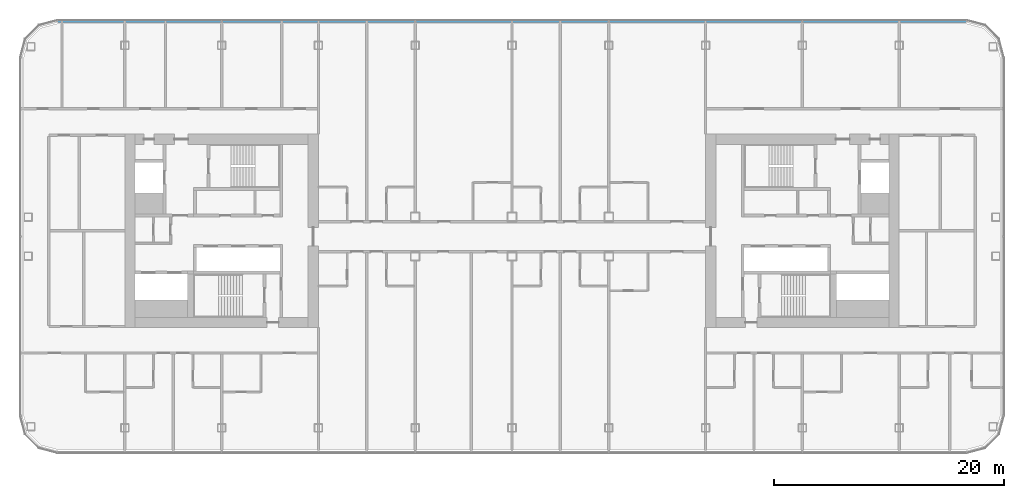
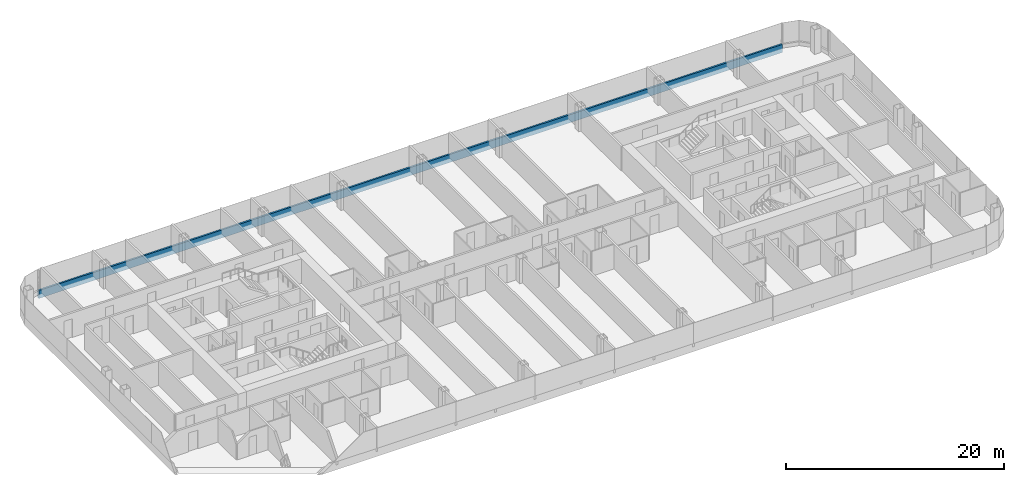
# One storey, part 7 of 26: 1 member, 1 element without a shape of its own.
"""IFC4 building model written with IfcOpenShell, lengths in metres."""

from ifc_helpers import new_model, si_unit, direction, frame, origin, origin_2d, place, context, subcontext, project, spatial, rectangle, extrude, material, layer, layer_set, material_profile, profile_set, type_object, element, aggregate, save


model = new_model("IFC4")

# Units and contexts
model_context = context("Model", 3, precision=1e-05, world=origin(), true_north=direction((0.0, 1.0)))
body_context = subcontext(model_context, "Body", "Model", "MODEL_VIEW")
ifc_project = project(units=[si_unit("LENGTHUNIT", "METRE"), si_unit("AREAUNIT", "SQUARE_METRE"), si_unit("VOLUMEUNIT", "CUBIC_METRE"), si_unit("PLANEANGLEUNIT", "RADIAN"), si_unit("MASSUNIT", "GRAM", prefix="KILO")], contexts=[model_context])

# Site, building, storey
site_placement = place(None, origin())
site = spatial("IfcSite", under=ifc_project, at=site_placement, CompositionType="ELEMENT")
building_placement = place(site_placement, origin())
building = spatial("IfcBuilding", under=site, at=building_placement, Name="Hakoniwa Tower and Hamabe Station Hall", CompositionType="ELEMENT")
storey_placement = place(building_placement, frame((0.0, 0.0, 156.60009765625)))
storey = spatial("IfcBuildingStorey", under=building, at=storey_placement, Name="L44", CompositionType="ELEMENT", Elevation=156.60009765625)

# Curtain wall, member
ifc_material_1 = material(Name="Dark low-e laminated glass", Category="glass")
ifc_layer = layer(ifc_material_1, 0.199951171875)
ifc_layer_set = layer_set([ifc_layer], Name="CW-1 UNITISED GUEST")
curtain_wall_type = type_object("IfcCurtainWallType", Name="CW-1 UNITISED GUEST", PredefinedType="NOTDEFINED", material=ifc_layer_set)
curtain_wall_placement = place(storey_placement, origin())
curtain_wall = element("IfcCurtainWall", 1, at=curtain_wall_placement, inside=storey, type_object=curtain_wall_type, Name="CW-1 curtain wall", PredefinedType="NOTDEFINED")
ifc_material_2 = material(Name="Aluminium 6063-T5 black anodised", Category="aluminium")
ifc_material_profile = material_profile(ifc_material_2, rectangle(XDim=0.199951171875, YDim=0.89990234375, at=origin_2d()), Name="CW SLAB-EDGE BAND 900X200")
ifc_profile_set = profile_set([ifc_material_profile], Name="Aluminium 6063-T5 black anodised")
member_type = type_object("IfcMemberType", Name="CW SLAB-EDGE BAND 900X200", PredefinedType="USERDEFINED", material=ifc_profile_set)
member_placement = place(storey_placement, frame((39.439453125, 18.199951171875, -0.10009765625), z_axis=(-1.0, 0.0, 0.0), x_axis=(0.0, -1.0, 0.0)))
member = element("IfcMember", 2, at=member_placement, type_object=member_type, Name="CW-1 transom", ObjectType="TRANSOM", PredefinedType="USERDEFINED", context=body_context, shape_type="SweptSolid", body=[
    extrude(rectangle(XDim=0.199951171875, YDim=0.89990234375, at=origin_2d()), origin(), (0.0, 0.0, 1.0), 78.87890625),
])
aggregate(curtain_wall, [member])

save(model, "model.ifc")
